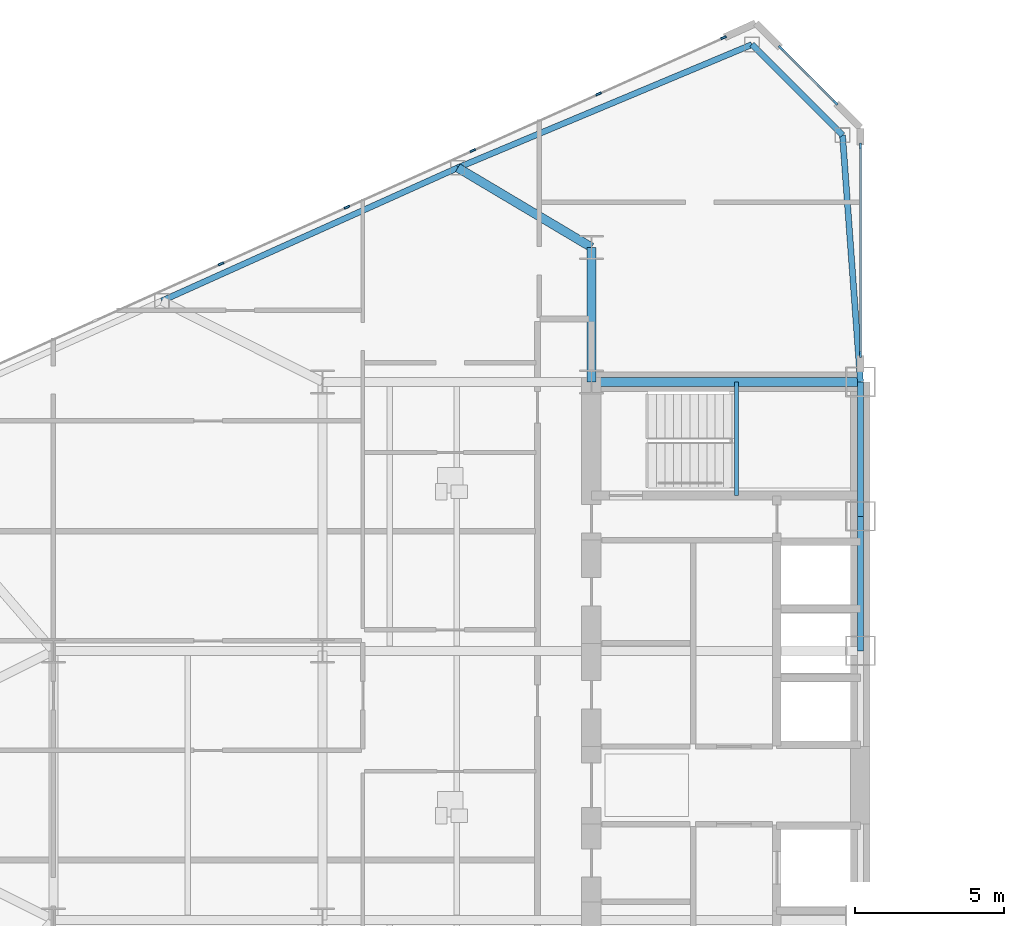
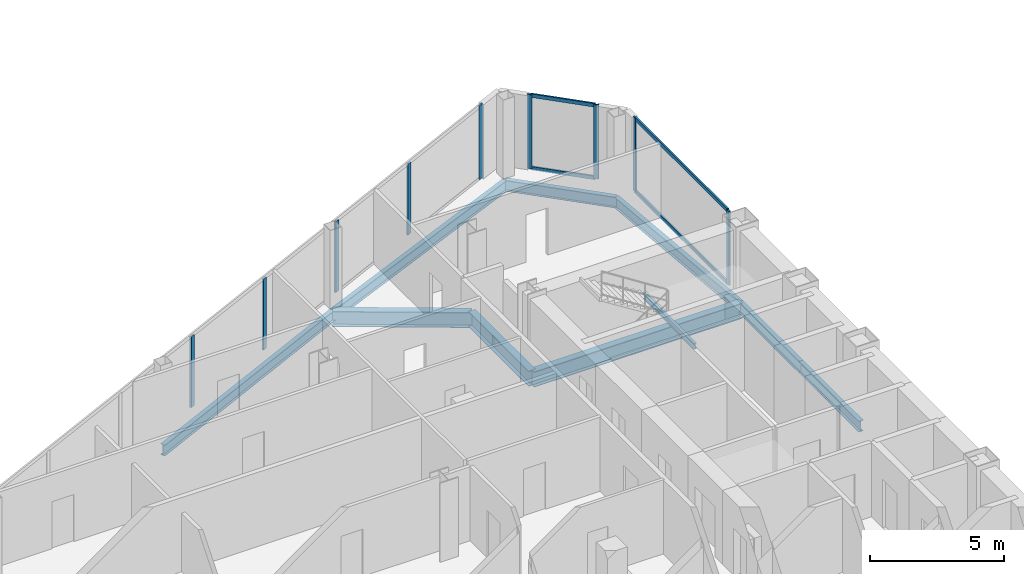
# One storey, part 9 of 27: 13 members, 10 beams, 3 elements without a shape of their own.
"""IFC4 building model written with IfcOpenShell, lengths in metres."""

from ifc_helpers import new_model, si_unit, direction, frame, origin, origin_2d, place, context, subcontext, project, spatial, rectangle, i_section, extrude, source, transform, mapped, material, layer, layer_set, material_profile, profile_set, type_object, type_shapes, element, aggregate, save


model = new_model("IFC4")

# Units and contexts
model_context = context("Model", 3, precision=1e-05, world=origin(), true_north=direction((0.0, 1.0)))
body_context = subcontext(model_context, "Body", "Model", "MODEL_VIEW")
ifc_project = project(units=[si_unit("LENGTHUNIT", "METRE"), si_unit("AREAUNIT", "SQUARE_METRE"), si_unit("VOLUMEUNIT", "CUBIC_METRE"), si_unit("PLANEANGLEUNIT", "RADIAN"), si_unit("MASSUNIT", "GRAM", prefix="KILO")], contexts=[model_context])

# Site, building, storey
site_placement = place(None, origin())
site = spatial("IfcSite", under=ifc_project, at=site_placement, CompositionType="ELEMENT")
building_placement = place(site_placement, origin())
building = spatial("IfcBuilding", under=site, at=building_placement, Name="Seokmaru Belvedere", CompositionType="ELEMENT")
storey_placement = place(building_placement, frame((0.0, 0.0, 92.39990234375)))
storey = spatial("IfcBuildingStorey", under=building, at=storey_placement, Name="L24", CompositionType="ELEMENT", Elevation=92.39990234375)

# Beams
ifc_material_1 = material(Name="Steel SM355 (355 MPa)", Category="steel")
ifc_material_profile_1 = material_profile(ifc_material_1, i_section(OverallWidth=0.199951171875, OverallDepth=0.5, WebThickness=0.010009765625, FlangeThickness=0.01611328125, at=origin_2d()), Name="H-500x200x10x16")
ifc_profile_set_1 = profile_set([ifc_material_profile_1], Name="Steel SM355 (355 MPa)")
beam_type_1 = type_object("IfcBeamType", Name="Perimeter Spandrel Beam H-500", PredefinedType="SPANDREL", material=ifc_profile_set_1)
shared_shape_1 = source(origin(), body_context, "Body", "SweptSolid", [
    extrude(i_section(OverallWidth=0.199951171875, OverallDepth=0.5, WebThickness=0.010009765625, FlangeThickness=0.01611328125, at=origin_2d()), origin(), (0.0, 0.0, 1.0), 4.5),
])
for number, where, z_axis, x_axis, name in (
    (1, (-27.5, 4.5, -0.469970703125), (0.0, 1.0, 0.0), (-1.0, 0.0, 0.0), "L24 W Portal Spine Spandrel 4"),
    (2, (-27.5, 9.0, -0.469970703125), (0.0, 1.0, 0.0), (-1.0, 0.0, 0.0), "L24 W Portal Spine Spandrel 5"),
):
    element("IfcBeam", number, at=place(storey_placement, frame(where, z_axis=z_axis, x_axis=x_axis)), inside=storey, type_object=beam_type_1, Name=name, PredefinedType="SPANDREL", context=body_context, shape_type="MappedRepresentation", body=[
        mapped(shared_shape_1, transform((0.0, 0.0, 0.0), scale=1.0)),
    ])
ifc_material_profile_2 = material_profile(ifc_material_1, i_section(OverallWidth=0.300048828125, OverallDepth=0.699951171875, WebThickness=0.012939453125, FlangeThickness=0.02392578125, at=origin_2d()), Name="H-700x300x13x24")
ifc_profile_set_2 = profile_set([ifc_material_profile_2], Name="Steel SM355 (355 MPa)")
beam_type_2 = type_object("IfcBeamType", Name="Primary Floor Girder H-700", PredefinedType="BEAM", material=ifc_profile_set_2)
shared_shape_2 = source(origin(), body_context, "Body", "SweptSolid", [
    extrude(i_section(OverallWidth=0.300048828125, OverallDepth=0.699951171875, WebThickness=0.012939453125, FlangeThickness=0.02392578125, at=origin_2d()), origin(), (0.0, 0.0, 1.0), 4.5),
])
beam_1_placement = place(storey_placement, frame((-36.5, 13.5, -0.56982421875), z_axis=(0.0, 1.0, 0.0), x_axis=(-1.0, 0.0, 0.0)))
element("IfcBeam", 3, at=beam_1_placement, inside=storey, type_object=beam_type_2, Name="L24 W Core Shoulder Girder N", PredefinedType="BEAM", context=body_context, shape_type="MappedRepresentation", body=[
    mapped(shared_shape_2, transform((0.0, 0.0, 0.0), scale=1.0)),
])
shared_shape_3 = source(origin(), body_context, "Body", "SweptSolid", [
    extrude(i_section(OverallWidth=0.300048828125, OverallDepth=0.699951171875, WebThickness=0.012939453125, FlangeThickness=0.02392578125, at=origin_2d()), origin(), (0.0, 0.0, 1.0), 9.0),
])
beam_2_placement = place(storey_placement, frame((-36.5, 13.5, -0.56982421875), z_axis=(1.0, 0.0, 0.0), x_axis=(0.0, 1.0, 0.0)))
element("IfcBeam", 4, at=beam_2_placement, inside=storey, type_object=beam_type_2, Name="L24 W Core Tie Girder 4", PredefinedType="BEAM", context=body_context, shape_type="MappedRepresentation", body=[
    mapped(shared_shape_3, transform((0.0, 0.0, 0.0), scale=1.0)),
])
shared_shape_4 = source(origin(), body_context, "Body", "SweptSolid", [
    extrude(i_section(OverallWidth=0.199951171875, OverallDepth=0.5, WebThickness=0.010009765625, FlangeThickness=0.01611328125, at=origin_2d()), origin(), (0.0, 0.0, 1.0), 10.66943359375),
])
beam_3_placement = place(storey_placement, frame((-31.13134765625, 24.782958984375, -0.469970703125), z_axis=(-0.922375393128, -0.386294750355, 0.0), x_axis=(0.386294750355, -0.922375393128, 0.0)))
element("IfcBeam", 5, at=beam_3_placement, inside=storey, type_object=beam_type_1, Name="L24 W Faceted Flank Spandrel N-1", PredefinedType="SPANDREL", context=body_context, shape_type="MappedRepresentation", body=[
    mapped(shared_shape_4, transform((0.0, 0.0, 0.0), scale=1.0)),
])
shared_shape_5 = source(origin(), body_context, "Body", "SweptSolid", [
    extrude(i_section(OverallWidth=0.199951171875, OverallDepth=0.5, WebThickness=0.010009765625, FlangeThickness=0.01611328125, at=origin_2d()), origin(), (0.0, 0.0, 1.0), 10.85888671875),
])
beam_4_placement = place(storey_placement, frame((-40.97265625, 20.661376953125, -0.469970703125), z_axis=(-0.911921505175, -0.410364677329, 0.0), x_axis=(0.410364677329, -0.911921505175, 0.0)))
element("IfcBeam", 6, at=beam_4_placement, inside=storey, type_object=beam_type_1, Name="L24 W Faceted Flank Spandrel N-2", PredefinedType="SPANDREL", context=body_context, shape_type="MappedRepresentation", body=[
    mapped(shared_shape_5, transform((0.0, 0.0, 0.0), scale=1.0)),
])
shared_shape_6 = source(origin(), body_context, "Body", "SweptSolid", [
    extrude(i_section(OverallWidth=0.199951171875, OverallDepth=0.5, WebThickness=0.010009765625, FlangeThickness=0.01611328125, at=origin_2d()), origin(), (0.0, 0.0, 1.0), 4.287109375),
])
beam_5_placement = place(storey_placement, frame((-31.13134765625, 24.782958984375, -0.469970703125), z_axis=(0.707078306132, -0.707135255094, 0.0), x_axis=(0.707135255094, 0.707078306132, 0.0)))
element("IfcBeam", 7, at=beam_5_placement, inside=storey, type_object=beam_type_1, Name="L24 W Shoulder Chamfer Spandrel N", PredefinedType="SPANDREL", context=body_context, shape_type="MappedRepresentation", body=[
    mapped(shared_shape_6, transform((0.0, 0.0, 0.0), scale=1.0)),
])
shared_shape_7 = source(origin(), body_context, "Body", "SweptSolid", [
    extrude(i_section(OverallWidth=0.199951171875, OverallDepth=0.5, WebThickness=0.010009765625, FlangeThickness=0.01611328125, at=origin_2d()), origin(), (0.0, 0.0, 1.0), 8.273193359375),
])
type_shapes(beam_type_1, [shared_shape_1, shared_shape_4, shared_shape_5, shared_shape_6, shared_shape_7])
beam_6_placement = place(storey_placement, frame((-28.10009765625, 21.75146484375, -0.469970703125), z_axis=(0.072534628348, -0.99736589459, 0.0), x_axis=(0.99736589459, 0.072534628348, 0.0)))
element("IfcBeam", 8, at=beam_6_placement, inside=storey, type_object=beam_type_1, Name="L24 W Shoulder Spine Spandrel N", PredefinedType="SPANDREL", context=body_context, shape_type="MappedRepresentation", body=[
    mapped(shared_shape_7, transform((0.0, 0.0, 0.0), scale=1.0)),
])
shared_shape_8 = source(origin(), body_context, "Body", "SweptSolid", [
    extrude(i_section(OverallWidth=0.300048828125, OverallDepth=0.699951171875, WebThickness=0.012939453125, FlangeThickness=0.02392578125, at=origin_2d()), origin(), (0.0, 0.0, 1.0), 5.20458984375),
])
type_shapes(beam_type_2, [shared_shape_2, shared_shape_3, shared_shape_8])
beam_7_placement = place(storey_placement, frame((-40.97265625, 20.661376953125, -0.56982421875), z_axis=(0.859370434188, -0.511353553662, 0.0), x_axis=(0.511353553662, 0.859370434188, 0.0)))
element("IfcBeam", 9, at=beam_7_placement, inside=storey, type_object=beam_type_2, Name="L24 W Flank Radial Floor Girder N-1", PredefinedType="BEAM", context=body_context, shape_type="MappedRepresentation", body=[
    mapped(shared_shape_8, transform((0.0, 0.0, 0.0), scale=1.0)),
])

# Curtain wall, members
ifc_material_2 = material(Name="Bronze Triple Insulating Glass", Category="glass")
ifc_layer = layer(ifc_material_2, 0.195068359375)
ifc_layer_set = layer_set([ifc_layer], Name="Bronze Triple Insulating Glass")
curtain_wall_type = type_object("IfcCurtainWallType", Name="Lower-Mid Tapered Curtain Wall System CW-3", PredefinedType="NOTDEFINED", material=ifc_layer_set)
curtain_wall_1_placement = place(storey_placement, origin())
curtain_wall_1 = element("IfcCurtainWall", 10, at=curtain_wall_1_placement, inside=storey, type_object=curtain_wall_type, Name="L24 Curtain Wall WSP_2", PredefinedType="NOTDEFINED")
ifc_material_3 = material(Name="Anodised Bronze Aluminium", Category="aluminium")
ifc_material_profile_3 = material_profile(ifc_material_3, rectangle(XDim=0.070068359375, YDim=0.1650390625, at=origin_2d()), Name="CW-T-70x165")
ifc_profile_set_3 = profile_set([ifc_material_profile_3], Name="Anodised Bronze Aluminium")
member_type_1 = type_object("IfcMemberType", Name="Bronze Unitised Transom 70x165", PredefinedType="USERDEFINED", material=ifc_profile_set_3)
shared_shape_9 = source(origin(), body_context, "Body", "SweptSolid", [
    extrude(rectangle(XDim=0.070068359375, YDim=0.1650390625, at=origin_2d()), origin(), (0.0, 0.0, 1.0), 6.91015625),
])
member_1_placement = place(storey_placement, frame((-27.5, 14.449951171875, 0.03515625), z_axis=(0.0, 1.0, 0.0), x_axis=(-1.0, 0.0, 0.0)))
member_1 = element("IfcMember", 11, at=member_1_placement, type_object=member_type_1, Name="CW:L24:WSP_2 Continuous Transom 1", ObjectType="TRANSOM", PredefinedType="USERDEFINED", context=body_context, shape_type="MappedRepresentation", body=[
    mapped(shared_shape_9, transform((0.0, 0.0, 0.0), scale=1.0)),
])
member_2_placement = place(storey_placement, frame((-27.5, 14.449951171875, 3.34521484375), z_axis=(0.0, 1.0, 0.0), x_axis=(-1.0, 0.0, 0.0)))
member_2 = element("IfcMember", 12, at=member_2_placement, type_object=member_type_1, Name="CW:L24:WSP_2 Continuous Transom 2", ObjectType="TRANSOM", PredefinedType="USERDEFINED", context=body_context, shape_type="MappedRepresentation", body=[
    mapped(shared_shape_9, transform((0.0, 0.0, 0.0), scale=1.0)),
])

curtain_wall_2_placement = place(storey_placement, origin())
curtain_wall_2 = element("IfcCurtainWall", 13, at=curtain_wall_2_placement, inside=storey, type_object=curtain_wall_type, Name="L24 Curtain Wall WF2", PredefinedType="NOTDEFINED")
shared_shape_10 = source(origin(), body_context, "Body", "SweptSolid", [
    extrude(rectangle(XDim=0.070068359375, YDim=0.1650390625, at=origin_2d()), origin(), (0.0, 0.0, 1.0), 2.509521484375),
])
type_shapes(member_type_1, [shared_shape_9, shared_shape_10])
member_3_placement = place(storey_placement, frame((-28.36279296875, 22.86279296875, 0.03515625), z_axis=(-0.707106781187, 0.707106781187, 0.0), x_axis=(-0.707106781187, -0.707106781187, 0.0)))
member_3 = element("IfcMember", 14, at=member_3_placement, type_object=member_type_1, Name="CW:L24:WF2 Continuous Transom 1", ObjectType="TRANSOM", PredefinedType="USERDEFINED", context=body_context, shape_type="MappedRepresentation", body=[
    mapped(shared_shape_10, transform((0.0, 0.0, 0.0), scale=1.0)),
])
member_4_placement = place(storey_placement, frame((-28.36279296875, 22.86279296875, 3.34521484375), z_axis=(-0.707106781187, 0.707106781187, 0.0), x_axis=(-0.707106781187, -0.707106781187, 0.0)))
member_4 = element("IfcMember", 15, at=member_4_placement, type_object=member_type_1, Name="CW:L24:WF2 Continuous Transom 2", ObjectType="TRANSOM", PredefinedType="USERDEFINED", context=body_context, shape_type="MappedRepresentation", body=[
    mapped(shared_shape_10, transform((0.0, 0.0, 0.0), scale=1.0)),
])

curtain_wall_3_placement = place(storey_placement, origin())
curtain_wall_3 = element("IfcCurtainWall", 16, at=curtain_wall_3_placement, inside=storey, type_object=curtain_wall_type, Name="L24 Curtain Wall WF3", PredefinedType="NOTDEFINED")
ifc_material_profile_4 = material_profile(ifc_material_3, rectangle(XDim=0.070068359375, YDim=0.195068359375, at=origin_2d()), Name="CW-M-70x195")
ifc_profile_set_4 = profile_set([ifc_material_profile_4], Name="Anodised Bronze Aluminium")
member_type_2 = type_object("IfcMemberType", Name="Bronze Unitised Mullion 70x195", PredefinedType="MULLION", material=ifc_profile_set_4)
shared_shape_11 = source(origin(), body_context, "Body", "SweptSolid", [
    extrude(rectangle(XDim=0.070068359375, YDim=0.195068359375, at=origin_2d()), origin(), (0.0, 0.0, 1.0), 3.239990234375),
])
member_5_placement = place(storey_placement, frame((-36.260009765625, 23.133056640625, 0.070068359375), z_axis=(0.0, 0.0, 1.0), x_axis=(0.41036554765, -0.91192111353, 0.0)))
member_5 = element("IfcMember", 17, at=member_5_placement, type_object=member_type_2, Name="CW:L24:WF3 Mullion 2", PredefinedType="MULLION", context=body_context, shape_type="MappedRepresentation", body=[
    mapped(shared_shape_11, transform((0.0, 0.0, 0.0), scale=1.0)),
])
member_6_placement = place(storey_placement, frame((-40.471435546875, 21.23779296875, 0.070068359375), z_axis=(0.0, 0.0, 1.0), x_axis=(0.41036554765, -0.91192111353, 0.0)))
member_6 = element("IfcMember", 18, at=member_6_placement, type_object=member_type_2, Name="CW:L24:WF3 Mullion 3", PredefinedType="MULLION", context=body_context, shape_type="MappedRepresentation", body=[
    mapped(shared_shape_11, transform((0.0, 0.0, 0.0), scale=1.0)),
])
member_7_placement = place(storey_placement, frame((-44.682861328125, 19.3427734375, 0.070068359375), z_axis=(0.0, 0.0, 1.0), x_axis=(0.41036554765, -0.91192111353, 0.0)))
member_7 = element("IfcMember", 19, at=member_7_placement, type_object=member_type_2, Name="CW:L24:WF3 Mullion 4", PredefinedType="MULLION", context=body_context, shape_type="MappedRepresentation", body=[
    mapped(shared_shape_11, transform((0.0, 0.0, 0.0), scale=1.0)),
])
member_8_placement = place(storey_placement, frame((-48.894287109375, 17.447509765625, 0.070068359375), z_axis=(0.0, 0.0, 1.0), x_axis=(0.41036554765, -0.91192111353, 0.0)))
member_8 = element("IfcMember", 20, at=member_8_placement, type_object=member_type_2, Name="CW:L24:WF3 Mullion 5", PredefinedType="MULLION", context=body_context, shape_type="MappedRepresentation", body=[
    mapped(shared_shape_11, transform((0.0, 0.0, 0.0), scale=1.0)),
])

# Member
shared_shape_12 = source(origin(), body_context, "Body", "SweptSolid", [
    extrude(rectangle(XDim=0.070068359375, YDim=0.195068359375, at=origin_2d()), origin(), (0.0, 0.0, 1.0), 3.380126953125),
])
type_shapes(member_type_2, [shared_shape_11, shared_shape_12])
member_9_placement = place(storey_placement, frame((-27.5, 14.4150390625, 0.0), z_axis=(0.0, 0.0, 1.0), x_axis=(-1.0, 0.0, 0.0)))
member_9 = element("IfcMember", 21, at=member_9_placement, type_object=member_type_2, Name="CW:L24:WSP_2 Mullion 1", PredefinedType="MULLION", context=body_context, shape_type="MappedRepresentation", body=[
    mapped(shared_shape_12, transform((0.0, 0.0, 0.0), scale=1.0)),
])

member_10_placement = place(storey_placement, frame((-27.5, 21.39501953125, 0.0), z_axis=(0.0, 0.0, 1.0), x_axis=(-1.0, 0.0, 0.0)))
member_10 = element("IfcMember", 22, at=member_10_placement, type_object=member_type_2, Name="CW:L24:WSP_2 Mullion 2", PredefinedType="MULLION", context=body_context, shape_type="MappedRepresentation", body=[
    mapped(shared_shape_12, transform((0.0, 0.0, 0.0), scale=1.0)),
])

aggregate(curtain_wall_1, [member_9, member_10, member_1, member_2])

member_11_placement = place(storey_placement, frame((-28.337890625, 22.837890625, 0.0), z_axis=(0.0, 0.0, 1.0), x_axis=(-0.707106781187, -0.707106781187, 0.0)))
member_11 = element("IfcMember", 23, at=member_11_placement, type_object=member_type_2, Name="CW:L24:WF2 Mullion 1", PredefinedType="MULLION", context=body_context, shape_type="MappedRepresentation", body=[
    mapped(shared_shape_12, transform((0.0, 0.0, 0.0), scale=1.0)),
])

member_12_placement = place(storey_placement, frame((-30.162109375, 24.662109375, 0.0), z_axis=(0.0, 0.0, 1.0), x_axis=(-0.707106781187, -0.707106781187, 0.0)))
member_12 = element("IfcMember", 24, at=member_12_placement, type_object=member_type_2, Name="CW:L24:WF2 Mullion 2", PredefinedType="MULLION", context=body_context, shape_type="MappedRepresentation", body=[
    mapped(shared_shape_12, transform((0.0, 0.0, 0.0), scale=1.0)),
])

aggregate(curtain_wall_2, [member_11, member_12, member_3, member_4])

member_13_placement = place(storey_placement, frame((-32.08056640625, 25.013671875, 0.0), z_axis=(0.0, 0.0, 1.0), x_axis=(0.41036554765, -0.91192111353, 0.0)))
member_13 = element("IfcMember", 25, at=member_13_placement, type_object=member_type_2, Name="CW:L24:WF3 Mullion 1", PredefinedType="MULLION", context=body_context, shape_type="MappedRepresentation", body=[
    mapped(shared_shape_12, transform((0.0, 0.0, 0.0), scale=1.0)),
])

aggregate(curtain_wall_3, [member_13, member_5, member_6, member_7, member_8])

# Beam
ifc_material_profile_5 = material_profile(ifc_material_1, i_section(OverallWidth=0.125, OverallDepth=0.25, WebThickness=0.006103515625, FlangeThickness=0.009033203125, at=origin_2d()), Name="H-250x125x6x9")
ifc_profile_set_5 = profile_set([ifc_material_profile_5], Name="Steel SM355 (355 MPa)")
beam_type_3 = type_object("IfcBeamType", Name="Stair Mid-Landing Support Beam H-250", PredefinedType="JOIST", material=ifc_profile_set_5)
shared_shape_13 = source(origin(), body_context, "Body", "SweptSolid", [
    extrude(i_section(OverallWidth=0.125, OverallDepth=0.25, WebThickness=0.006103515625, FlangeThickness=0.009033203125, at=origin_2d()), origin(), (0.0, 0.0, 1.0), 3.800048828125),
])
type_shapes(beam_type_3, [shared_shape_13])
beam_8_placement = place(storey_placement, frame((-31.64990234375, 9.699951171875, 1.47509765625), z_axis=(0.0, 1.0, 0.0), x_axis=(-1.0, 0.0, 0.0)))
element("IfcBeam", 26, at=beam_8_placement, inside=storey, type_object=beam_type_3, Name="L24 Stair ST-W2 Mid-Landing Support Beam 1", PredefinedType="JOIST", context=body_context, shape_type="MappedRepresentation", body=[
    mapped(shared_shape_13, transform((0.0, 0.0, 0.0), scale=1.0)),
])

save(model, "model.ifc")
